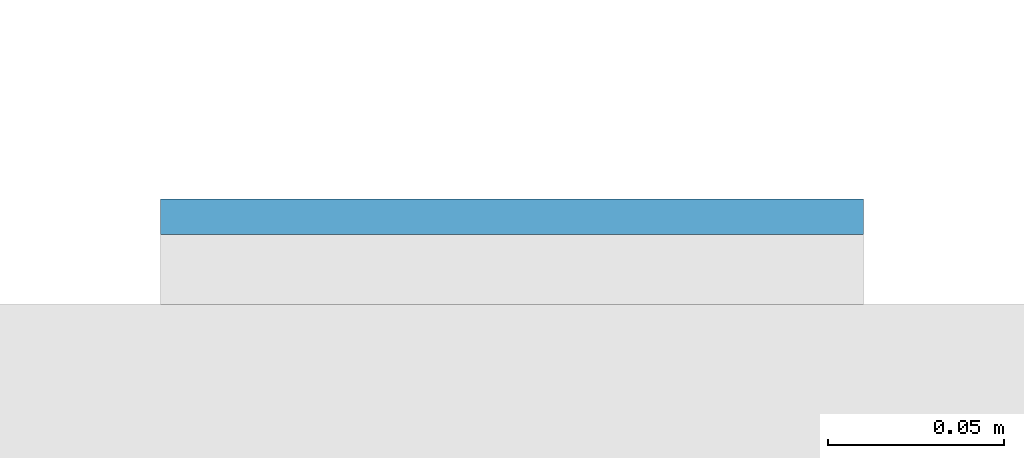
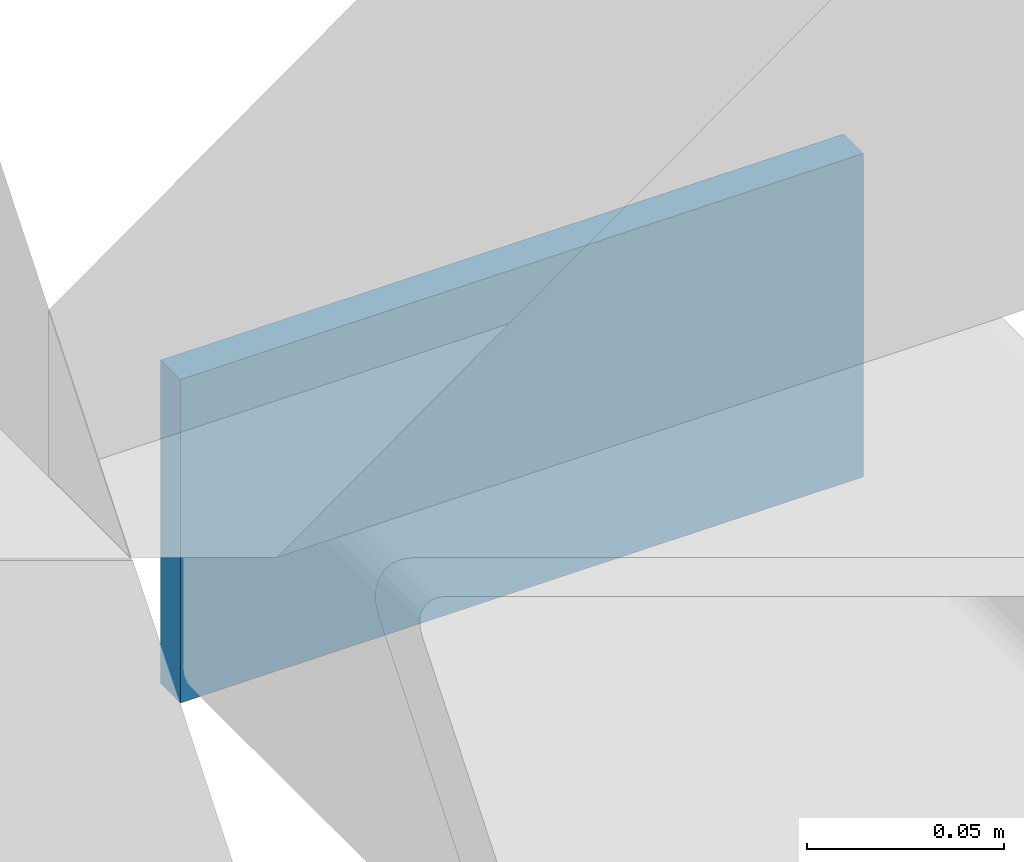
# One storey, part 6 of 12: 1 plate.
"""IFC4 building model written with IfcOpenShell, lengths in metres."""

from ifc_helpers import new_model, si_unit, direction, frame, origin, origin_2d, place, context, subcontext, project, spatial, rectangle, extrude, material, layer, layer_set, type_object, element, save


model = new_model("IFC4")

# Units and contexts
model_context = context("Model", 3, precision=1e-05, world=origin(), true_north=direction((0.0, 1.0)))
body_context = subcontext(model_context, "Body", "Model", "MODEL_VIEW")
ifc_project = project(units=[si_unit("LENGTHUNIT", "METRE"), si_unit("AREAUNIT", "SQUARE_METRE"), si_unit("VOLUMEUNIT", "CUBIC_METRE"), si_unit("PLANEANGLEUNIT", "RADIAN"), si_unit("MASSUNIT", "GRAM", prefix="KILO")], contexts=[model_context])

# Site, building, storey
site_placement = place(None, origin())
site = spatial("IfcSite", under=ifc_project, at=site_placement, CompositionType="ELEMENT")
building_placement = place(site_placement, origin())
building = spatial("IfcBuilding", under=site, at=building_placement, Name="Cleftline Residences", CompositionType="ELEMENT")
storey_placement = place(building_placement, frame((0.0, 0.0, 248.39990234375)))
storey = spatial("IfcBuildingStorey", under=building, at=storey_placement, Name="L65", CompositionType="ELEMENT", Elevation=248.39990234375)

# Plate
ifc_material = material(Name="Steel S355, hot-dip galvanised", Category="steel")
ifc_layer = layer(ifc_material, 0.010009765625)
ifc_layer_set = layer_set([ifc_layer], Name="BAGUETTE CARRIER END PLATE 200X100X10")
plate_type = type_object("IfcPlateType", Name="BAGUETTE CARRIER END PLATE 200X100X10", PredefinedType="USERDEFINED", material=ifc_layer_set)
plate_placement = place(storey_placement, frame((66.85009765625, 44.304931640625, -0.099853515625), z_axis=(0.0, 0.0, 1.0), x_axis=(1.0, 0.0, 0.0)))
element("IfcPlate", 1, at=plate_placement, inside=storey, type_object=plate_type, Name="Baguette carrier end plate", ObjectType="BAGUETTE CARRIER END PLATE", PredefinedType="USERDEFINED", context=body_context, shape_type="SweptSolid", body=[
    extrude(rectangle(XDim=0.199951171875, YDim=0.010009765625, at=origin_2d()), origin(), (0.0, 0.0, 1.0), 0.10009765625),
])

save(model, "model.ifc")
